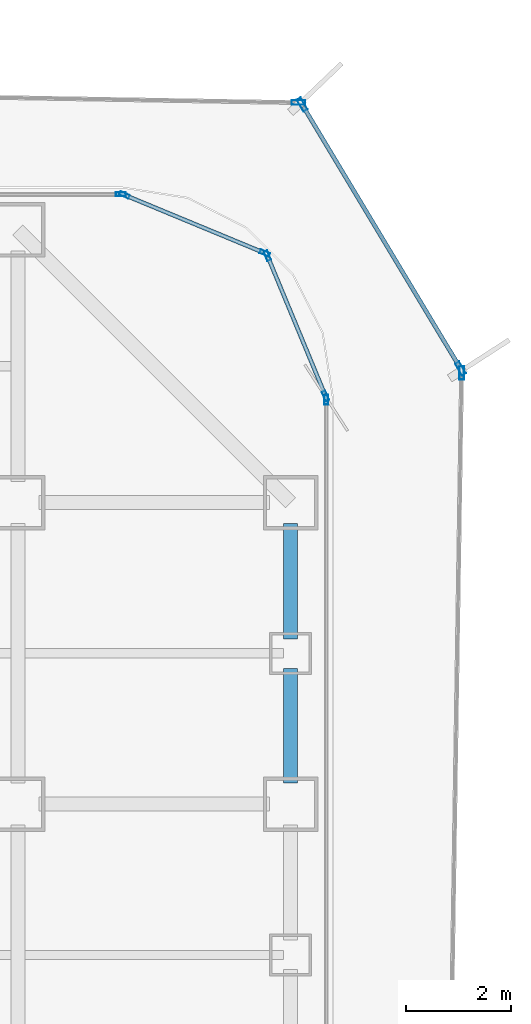
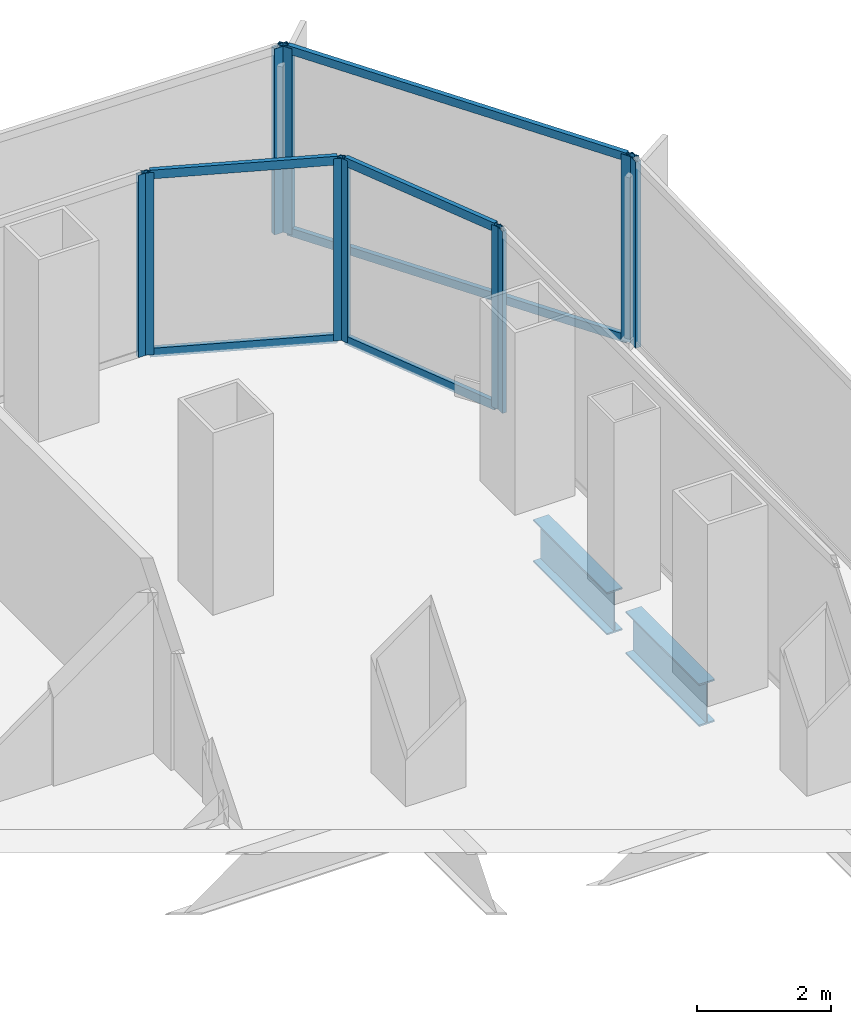
# One storey, part 15 of 22: 16 members, 2 beams, 7 elements without a shape of their own.
"""IFC4 building model written with IfcOpenShell, lengths in metres."""

from ifc_helpers import new_model, si_unit, direction, frame, origin, origin_2d, place, context, subcontext, project, spatial, hollow_rectangle, i_section, extrude, source, transform, mapped, material, layer, layer_set, material_profile, profile_set, type_object, element, aggregate, save


model = new_model("IFC4")

# Units and contexts
model_context = context("Model", 3, precision=1e-05, world=origin(), true_north=direction((0.0, 1.0)))
body_context = subcontext(model_context, "Body", "Model", "MODEL_VIEW")
ifc_project = project(units=[si_unit("LENGTHUNIT", "METRE"), si_unit("AREAUNIT", "SQUARE_METRE"), si_unit("VOLUMEUNIT", "CUBIC_METRE"), si_unit("PLANEANGLEUNIT", "RADIAN"), si_unit("MASSUNIT", "GRAM", prefix="KILO")], contexts=[model_context])

# Site, building, storey
site_placement = place(None, origin())
site = spatial("IfcSite", under=ifc_project, at=site_placement, CompositionType="ELEMENT")
building_placement = place(site_placement, origin())
building = spatial("IfcBuilding", under=site, at=building_placement, Name="Kolveth Station Tower", CompositionType="ELEMENT")
storey_placement = place(building_placement, frame((0.0, 0.0, 54.89990234375)))
storey = spatial("IfcBuildingStorey", under=building, at=storey_placement, Name="L14", CompositionType="ELEMENT", Elevation=54.89990234375)

# Beams
ifc_material_1 = material(Name="Steel S355", Category="steel")
ifc_material_profile_1 = material_profile(ifc_material_1, i_section(OverallWidth=0.26904296875, OverallDepth=0.77490234375, WebThickness=0.01708984375, FlangeThickness=0.0283203125, at=origin_2d()), Name="W760x220")
ifc_profile_set_1 = profile_set([ifc_material_profile_1], Name="Steel S355")
beam_type = type_object("IfcBeamType", Name="Beam_SP1", PredefinedType="SPANDREL", material=ifc_profile_set_1)
shared_shape_1 = source(origin(), body_context, "Body", "SweptSolid", [
    extrude(i_section(OverallWidth=0.26904296875, OverallDepth=0.77490234375, WebThickness=0.01708984375, FlangeThickness=0.0283203125, at=origin_2d()), origin(), (0.0, 0.0, 1.0), 2.2001953125),
])
beam_1_placement = place(storey_placement, frame((46.199951171875, 31.89990234375, -0.66748046875), z_axis=(0.0, 1.0, 0.0), x_axis=(-1.0, 0.0, 0.0)))
element("IfcBeam", 1, at=beam_1_placement, inside=storey, type_object=beam_type, Name="L14 Perimeter Spandrel BM-L14-PE-10", PredefinedType="SPANDREL", context=body_context, shape_type="MappedRepresentation", body=[
    mapped(shared_shape_1, transform((0.0, 0.0, 0.0), x_axis=(1.0, 0.0, 0.0), y_axis=(0.0, 1.0, 0.0), z_axis=(0.0, 0.0, 1.0), scale=1.0)),
])
shared_shape_2 = source(origin(), body_context, "Body", "SweptSolid", [
    extrude(i_section(OverallWidth=0.26904296875, OverallDepth=0.77490234375, WebThickness=0.01708984375, FlangeThickness=0.0283203125, at=origin_2d()), origin(), (0.0, 0.0, 1.0), 2.190185546875),
])
beam_2_placement = place(storey_placement, frame((46.199951171875, 29.14990234375, -0.66748046875), z_axis=(0.0, 1.0, 0.0), x_axis=(-1.0, 0.0, 0.0)))
element("IfcBeam", 2, at=beam_2_placement, inside=storey, type_object=beam_type, Name="L14 Perimeter Spandrel BM-L14-PE-9", PredefinedType="SPANDREL", context=body_context, shape_type="MappedRepresentation", body=[
    mapped(shared_shape_2, transform((0.0, 0.0, 0.0), x_axis=(1.0, 0.0, 0.0), y_axis=(0.0, 1.0, 0.0), z_axis=(0.0, 0.0, 1.0), scale=1.0)),
])

# Curtain wall, member
ifc_material_2 = material(Name="Aluminium 6063-T6 and low-E dark glass", Category="aluminium")
ifc_layer_1 = layer(ifc_material_2, 0.179931640625)
ifc_layer_set_1 = layer_set([ifc_layer_1], Name="Aluminium 6063-T6 and low-E dark glass")
curtain_wall_type_1 = type_object("IfcCurtainWallType", Name="CurtainWall_CW-Z1", PredefinedType="NOTDEFINED", material=ifc_layer_set_1)
curtain_wall_1_placement = place(storey_placement, origin())
curtain_wall_1 = element("IfcCurtainWall", 3, at=curtain_wall_1_placement, inside=storey, type_object=curtain_wall_type_1, Name="L14 Inner Thermal Curtain Wall 3", PredefinedType="NOTDEFINED")
ifc_material_3 = material(Name="Black anodized aluminium 6063-T6", Category="aluminium")
ifc_material_profile_2 = material_profile(ifc_material_3, hollow_rectangle(XDim=0.074951171875, YDim=0.18994140625, WallThickness=0.0048828125, at=origin_2d()), Name="ALU-75x190x5")
ifc_profile_set_2 = profile_set([ifc_material_profile_2], Name="Black anodized aluminium 6063-T6")
member_type_1 = type_object("IfcMemberType", Name="Mullion_ML1", PredefinedType="MULLION", material=ifc_profile_set_2)
shared_shape_3 = source(origin(), body_context, "Body", "SweptSolid", [
    extrude(hollow_rectangle(XDim=0.074951171875, YDim=0.18994140625, WallThickness=0.0048828125, at=origin_2d()), origin(), (0.0, 0.0, 1.0), 3.320068359375),
])
member_1_placement = place(storey_placement, frame((46.8798828125, 36.46240234375, 0.0), z_axis=(0.0, 0.0, 1.0), x_axis=(-1.0, 0.0, 0.0)))
member_1 = element("IfcMember", 4, at=member_1_placement, type_object=member_type_1, Name="CW-Z1 mullion 2", PredefinedType="MULLION", context=body_context, shape_type="MappedRepresentation", body=[
    mapped(shared_shape_3, transform((0.0, 0.0, 0.0), x_axis=(1.0, 0.0, 0.0), y_axis=(0.0, 1.0, 0.0), z_axis=(0.0, 0.0, 1.0), scale=1.0)),
])
aggregate(curtain_wall_1, [member_1])

# Curtain wall, members
curtain_wall_2_placement = place(storey_placement, origin())
curtain_wall_2 = element("IfcCurtainWall", 5, at=curtain_wall_2_placement, inside=storey, type_object=curtain_wall_type_1, Name="L14 Inner Thermal Curtain Wall 4", PredefinedType="NOTDEFINED")
member_2_placement = place(storey_placement, frame((46.86572265625, 36.53466796875, 0.0), z_axis=(0.0, 0.0, 1.0), x_axis=(-0.923883857728, -0.382672990201, 0.0)))
member_2 = element("IfcMember", 6, at=member_2_placement, type_object=member_type_1, Name="CW-Z1 mullion 1", PredefinedType="MULLION", context=body_context, shape_type="MappedRepresentation", body=[
    mapped(shared_shape_3, transform((0.0, 0.0, 0.0), x_axis=(1.0, 0.0, 0.0), y_axis=(0.0, 1.0, 0.0), z_axis=(0.0, 0.0, 1.0), scale=1.0)),
])
member_3_placement = place(storey_placement, frame((45.758056640625, 39.208984375, 0.0), z_axis=(0.0, 0.0, 1.0), x_axis=(-0.923883857728, -0.382672990201, 0.0)))
member_3 = element("IfcMember", 7, at=member_3_placement, type_object=member_type_1, Name="CW-Z1 mullion 2", PredefinedType="MULLION", context=body_context, shape_type="MappedRepresentation", body=[
    mapped(shared_shape_3, transform((0.0, 0.0, 0.0), x_axis=(1.0, 0.0, 0.0), y_axis=(0.0, 1.0, 0.0), z_axis=(0.0, 0.0, 1.0), scale=1.0)),
])

curtain_wall_3_placement = place(storey_placement, origin())
curtain_wall_3 = element("IfcCurtainWall", 8, at=curtain_wall_3_placement, inside=storey, type_object=curtain_wall_type_1, Name="L14 Inner Thermal Curtain Wall 5", PredefinedType="NOTDEFINED")
member_4_placement = place(storey_placement, frame((45.708984375, 39.258056640625, 0.0), z_axis=(0.0, 0.0, 1.0), x_axis=(-0.382672990201, -0.923883857728, 0.0)))
member_4 = element("IfcMember", 9, at=member_4_placement, type_object=member_type_1, Name="CW-Z1 mullion 1", PredefinedType="MULLION", context=body_context, shape_type="MappedRepresentation", body=[
    mapped(shared_shape_3, transform((0.0, 0.0, 0.0), x_axis=(1.0, 0.0, 0.0), y_axis=(0.0, 1.0, 0.0), z_axis=(0.0, 0.0, 1.0), scale=1.0)),
])
member_5_placement = place(storey_placement, frame((43.03466796875, 40.36572265625, 0.0), z_axis=(0.0, 0.0, 1.0), x_axis=(-0.382672990201, -0.923883857728, 0.0)))
member_5 = element("IfcMember", 10, at=member_5_placement, type_object=member_type_1, Name="CW-Z1 mullion 2", PredefinedType="MULLION", context=body_context, shape_type="MappedRepresentation", body=[
    mapped(shared_shape_3, transform((0.0, 0.0, 0.0), x_axis=(1.0, 0.0, 0.0), y_axis=(0.0, 1.0, 0.0), z_axis=(0.0, 0.0, 1.0), scale=1.0)),
])

# Curtain wall, member
curtain_wall_4_placement = place(storey_placement, origin())
curtain_wall_4 = element("IfcCurtainWall", 11, at=curtain_wall_4_placement, inside=storey, type_object=curtain_wall_type_1, Name="L14 Inner Thermal Curtain Wall 6", PredefinedType="NOTDEFINED")
member_6_placement = place(storey_placement, frame((42.96240234375, 40.3798828125, 0.0), z_axis=(0.0, 0.0, 1.0), x_axis=(0.0, -1.0, 0.0)))
member_6 = element("IfcMember", 12, at=member_6_placement, type_object=member_type_1, Name="CW-Z1 mullion 1", PredefinedType="MULLION", context=body_context, shape_type="MappedRepresentation", body=[
    mapped(shared_shape_3, transform((0.0, 0.0, 0.0), x_axis=(1.0, 0.0, 0.0), y_axis=(0.0, 1.0, 0.0), z_axis=(0.0, 0.0, 1.0), scale=1.0)),
])
aggregate(curtain_wall_4, [member_6])

# Member
ifc_material_profile_3 = material_profile(ifc_material_3, hollow_rectangle(XDim=0.074951171875, YDim=0.159912109375, WallThickness=0.0048828125, at=origin_2d()), Name="ALU-75x160x5")
ifc_profile_set_3 = profile_set([ifc_material_profile_3], Name="Black anodized aluminium 6063-T6")
member_type_2 = type_object("IfcMemberType", Name="Transom_TR1", PredefinedType="USERDEFINED", material=ifc_profile_set_3)
shared_shape_4 = source(origin(), body_context, "Body", "SweptSolid", [
    extrude(hollow_rectangle(XDim=0.074951171875, YDim=0.159912109375, WallThickness=0.0048828125, at=origin_2d()), origin(), (0.0, 0.0, 1.0), 2.819580078125),
])
member_7_placement = place(storey_placement, frame((46.851318359375, 36.5693359375, 0.03759765625), z_axis=(-0.382708655389, 0.923869084389, 0.0), x_axis=(-0.923869084389, -0.382708655389, 0.0)))
member_7 = element("IfcMember", 13, at=member_7_placement, type_object=member_type_2, Name="CW-Z1 transom 1.1", ObjectType="TRANSOM", PredefinedType="USERDEFINED", context=body_context, shape_type="MappedRepresentation", body=[
    mapped(shared_shape_4, transform((0.0, 0.0, 0.0), x_axis=(1.0, 0.0, 0.0), y_axis=(0.0, 1.0, 0.0), z_axis=(0.0, 0.0, 1.0), scale=1.0)),
])

member_8_placement = place(storey_placement, frame((46.851318359375, 36.5693359375, 3.28271484375), z_axis=(-0.382708655389, 0.923869084389, 0.0), x_axis=(-0.923869084389, -0.382708655389, 0.0)))
member_8 = element("IfcMember", 14, at=member_8_placement, type_object=member_type_2, Name="CW-Z1 transom 1.2", ObjectType="TRANSOM", PredefinedType="USERDEFINED", context=body_context, shape_type="MappedRepresentation", body=[
    mapped(shared_shape_4, transform((0.0, 0.0, 0.0), x_axis=(1.0, 0.0, 0.0), y_axis=(0.0, 1.0, 0.0), z_axis=(0.0, 0.0, 1.0), scale=1.0)),
])

aggregate(curtain_wall_2, [member_2, member_3, member_7, member_8])

member_9_placement = place(storey_placement, frame((45.67431640625, 39.272216796875, 0.03759765625), z_axis=(-0.923869084389, 0.382708655389, 0.0), x_axis=(-0.382708655389, -0.923869084389, 0.0)))
member_9 = element("IfcMember", 15, at=member_9_placement, type_object=member_type_2, Name="CW-Z1 transom 1.1", ObjectType="TRANSOM", PredefinedType="USERDEFINED", context=body_context, shape_type="MappedRepresentation", body=[
    mapped(shared_shape_4, transform((0.0, 0.0, 0.0), x_axis=(1.0, 0.0, 0.0), y_axis=(0.0, 1.0, 0.0), z_axis=(0.0, 0.0, 1.0), scale=1.0)),
])

member_10_placement = place(storey_placement, frame((45.67431640625, 39.272216796875, 3.28271484375), z_axis=(-0.923869084389, 0.382708655389, 0.0), x_axis=(-0.382708655389, -0.923869084389, 0.0)))
member_10 = element("IfcMember", 16, at=member_10_placement, type_object=member_type_2, Name="CW-Z1 transom 1.2", ObjectType="TRANSOM", PredefinedType="USERDEFINED", context=body_context, shape_type="MappedRepresentation", body=[
    mapped(shared_shape_4, transform((0.0, 0.0, 0.0), x_axis=(1.0, 0.0, 0.0), y_axis=(0.0, 1.0, 0.0), z_axis=(0.0, 0.0, 1.0), scale=1.0)),
])

aggregate(curtain_wall_3, [member_4, member_5, member_9, member_10])

# Curtain wall, member
ifc_material_4 = material(Name="Black anodized aluminium 6063-T6 and dark solar glass", Category="aluminium")
ifc_layer_2 = layer(ifc_material_4, 0.159912109375)
ifc_layer_set_2 = layer_set([ifc_layer_2], Name="Black anodized aluminium 6063-T6 and dark solar glass")
curtain_wall_type_2 = type_object("IfcCurtainWallType", Name="OUTER SKIN CW-OS", PredefinedType="NOTDEFINED", material=ifc_layer_set_2)
curtain_wall_5_placement = place(storey_placement, origin())
curtain_wall_5 = element("IfcCurtainWall", 17, at=curtain_wall_5_placement, inside=storey, type_object=curtain_wall_type_2, Name="L14 Outer Ventilated Skin Curtain Wall 2", PredefinedType="NOTDEFINED")
ifc_material_profile_4 = material_profile(ifc_material_3, hollow_rectangle(XDim=0.090087890625, YDim=0.260009765625, WallThickness=0.0048828125, at=origin_2d()), Name="ALU-90x260x5")
ifc_profile_set_4 = profile_set([ifc_material_profile_4], Name="Black anodized aluminium 6063-T6")
member_type_3 = type_object("IfcMemberType", Name="FIN MULLION ML-OS", PredefinedType="MULLION", material=ifc_profile_set_4)
shared_shape_5 = source(origin(), body_context, "Body", "SweptSolid", [
    extrude(hollow_rectangle(XDim=0.090087890625, YDim=0.260009765625, WallThickness=0.0048828125, at=origin_2d()), origin(), (0.0, 0.0, 1.0), 3.39013671875),
])
member_11_placement = place(storey_placement, frame((49.46435546875, 36.973876953125, 0.0), z_axis=(0.0, 0.0, 1.0), x_axis=(-0.9998823187, 0.015341080531, 0.0)))
member_11 = element("IfcMember", 18, at=member_11_placement, type_object=member_type_3, Name="CW-OS mullion 2", PredefinedType="MULLION", context=body_context, shape_type="MappedRepresentation", body=[
    mapped(shared_shape_5, transform((0.0, 0.0, 0.0), x_axis=(1.0, 0.0, 0.0), y_axis=(0.0, 1.0, 0.0), z_axis=(0.0, 0.0, 1.0), scale=1.0)),
])
aggregate(curtain_wall_5, [member_11])

# Curtain wall, members
curtain_wall_6_placement = place(storey_placement, origin())
curtain_wall_6 = element("IfcCurtainWall", 19, at=curtain_wall_6_placement, inside=storey, type_object=curtain_wall_type_2, Name="L14 Outer Ventilated Skin Curtain Wall 3", PredefinedType="NOTDEFINED")
member_12_placement = place(storey_placement, frame((49.44189453125, 37.057373046875, 0.0), z_axis=(0.0, 0.0, 1.0), x_axis=(-0.85732267132, -0.514779406387, 0.0)))
member_12 = element("IfcMember", 20, at=member_12_placement, type_object=member_type_3, Name="CW-OS mullion 1", PredefinedType="MULLION", context=body_context, shape_type="MappedRepresentation", body=[
    mapped(shared_shape_5, transform((0.0, 0.0, 0.0), x_axis=(1.0, 0.0, 0.0), y_axis=(0.0, 1.0, 0.0), z_axis=(0.0, 0.0, 1.0), scale=1.0)),
])
member_13_placement = place(storey_placement, frame((46.41943359375, 42.09130859375, 0.0), z_axis=(0.0, 0.0, 1.0), x_axis=(-0.85732267132, -0.514779406387, 0.0)))
member_13 = element("IfcMember", 21, at=member_13_placement, type_object=member_type_3, Name="CW-OS mullion 2", PredefinedType="MULLION", context=body_context, shape_type="MappedRepresentation", body=[
    mapped(shared_shape_5, transform((0.0, 0.0, 0.0), x_axis=(1.0, 0.0, 0.0), y_axis=(0.0, 1.0, 0.0), z_axis=(0.0, 0.0, 1.0), scale=1.0)),
])

# Curtain wall, member
curtain_wall_7_placement = place(storey_placement, origin())
curtain_wall_7 = element("IfcCurtainWall", 22, at=curtain_wall_7_placement, inside=storey, type_object=curtain_wall_type_2, Name="L14 Outer Ventilated Skin Curtain Wall 4", PredefinedType="NOTDEFINED")
member_14_placement = place(storey_placement, frame((46.351318359375, 42.130615234375, 0.0), z_axis=(0.0, 0.0, 1.0), x_axis=(-0.017210176238, -0.999851893949, 0.0)))
member_14 = element("IfcMember", 23, at=member_14_placement, type_object=member_type_3, Name="CW-OS mullion 1", PredefinedType="MULLION", context=body_context, shape_type="MappedRepresentation", body=[
    mapped(shared_shape_5, transform((0.0, 0.0, 0.0), x_axis=(1.0, 0.0, 0.0), y_axis=(0.0, 1.0, 0.0), z_axis=(0.0, 0.0, 1.0), scale=1.0)),
])
aggregate(curtain_wall_7, [member_14])

# Member
ifc_material_profile_5 = material_profile(ifc_material_3, hollow_rectangle(XDim=0.080078125, YDim=0.14990234375, WallThickness=0.0048828125, at=origin_2d()), Name="ALU-80x150x5")
ifc_profile_set_5 = profile_set([ifc_material_profile_5], Name="Black anodized aluminium 6063-T6")
member_type_4 = type_object("IfcMemberType", Name="Transom_TR-OS", PredefinedType="USERDEFINED", material=ifc_profile_set_5)
shared_shape_6 = source(origin(), body_context, "Body", "SweptSolid", [
    extrude(hollow_rectangle(XDim=0.080078125, YDim=0.14990234375, WallThickness=0.0048828125, at=origin_2d()), origin(), (0.0, 0.0, 1.0), 5.781494140625),
])
member_15_placement = place(storey_placement, frame((49.418701171875, 37.095947265625, 0.0400390625), z_axis=(-0.514750338306, 0.857340124579, 0.0), x_axis=(-0.857340124579, -0.514750338306, 0.0)))
member_15 = element("IfcMember", 24, at=member_15_placement, type_object=member_type_4, Name="CW-OS transom 1.1", ObjectType="TRANSOM", PredefinedType="USERDEFINED", context=body_context, shape_type="MappedRepresentation", body=[
    mapped(shared_shape_6, transform((0.0, 0.0, 0.0), x_axis=(1.0, 0.0, 0.0), y_axis=(0.0, 1.0, 0.0), z_axis=(0.0, 0.0, 1.0), scale=1.0)),
])

member_16_placement = place(storey_placement, frame((49.418701171875, 37.095947265625, 3.35009765625), z_axis=(-0.514750338306, 0.857340124579, 0.0), x_axis=(-0.857340124579, -0.514750338306, 0.0)))
member_16 = element("IfcMember", 25, at=member_16_placement, type_object=member_type_4, Name="CW-OS transom 1.2", ObjectType="TRANSOM", PredefinedType="USERDEFINED", context=body_context, shape_type="MappedRepresentation", body=[
    mapped(shared_shape_6, transform((0.0, 0.0, 0.0), x_axis=(1.0, 0.0, 0.0), y_axis=(0.0, 1.0, 0.0), z_axis=(0.0, 0.0, 1.0), scale=1.0)),
])

aggregate(curtain_wall_6, [member_12, member_13, member_15, member_16])

save(model, "model.ifc")
